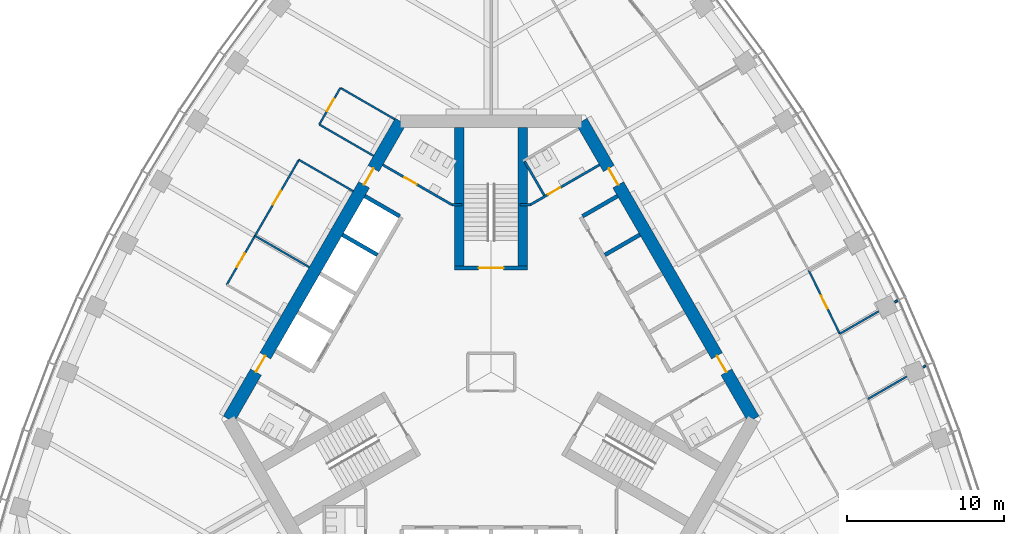
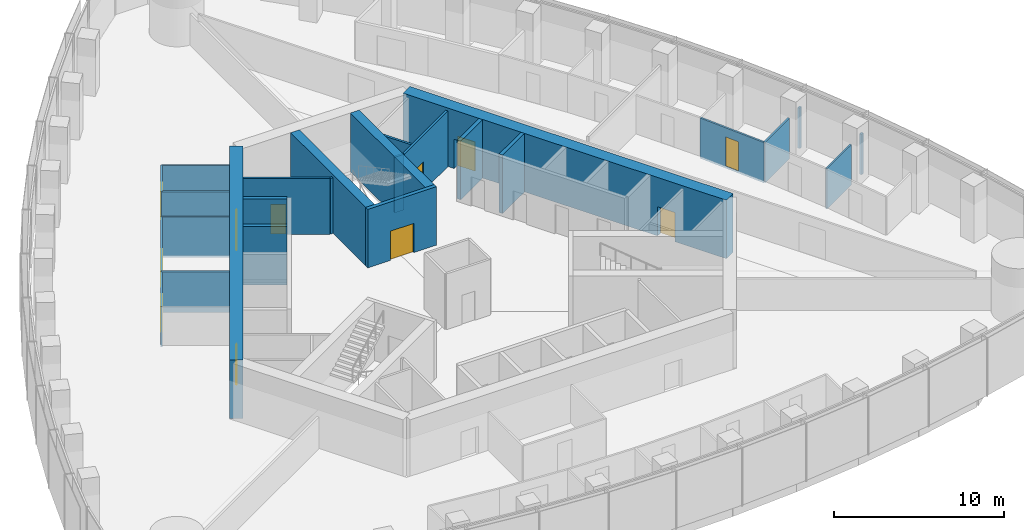
# One storey, part 13 of 20: 26 walls, 11 doors, 11 openings.
"""IFC4 building model written with IfcOpenShell, lengths in metres."""

from ifc_helpers import new_model, si_unit, direction, frame, frame_2d, origin, place, context, subcontext, project, spatial, rectangle, extrude, material, layer, layer_set, type_object, element, fill, save


model = new_model("IFC4")

# Units and contexts
model_context = context("Model", 3, precision=1e-05, world=origin(), true_north=direction((0.0, 1.0)))
body_context = subcontext(model_context, "Body", "Model", "MODEL_VIEW")
ifc_project = project(units=[si_unit("LENGTHUNIT", "METRE"), si_unit("AREAUNIT", "SQUARE_METRE"), si_unit("VOLUMEUNIT", "CUBIC_METRE"), si_unit("PLANEANGLEUNIT", "RADIAN"), si_unit("MASSUNIT", "GRAM", prefix="KILO")], contexts=[model_context])

# Site, building, storey
site_placement = place(None, origin())
site = spatial("IfcSite", under=ifc_project, at=site_placement, CompositionType="ELEMENT")
building_placement = place(site_placement, origin())
building = spatial("IfcBuilding", under=site, at=building_placement, Name="Trefoil Bronze Tower", CompositionType="ELEMENT")
storey_placement = place(building_placement, frame((0.0, 0.0, 210.699951171875)))
storey = spatial("IfcBuildingStorey", under=building, at=storey_placement, Name="L48", CompositionType="ELEMENT", Elevation=210.699951171875)

# Wall, openings, doors
ifc_material_1 = material(Name="Concrete B80", Category="concrete")
ifc_layer_1 = layer(ifc_material_1, 0.800048828125)
ifc_layer_set_1 = layer_set([ifc_layer_1], Name="Core wall 800")
wall_type_1 = type_object("IfcWallType", Name="Core wall 800", PredefinedType="SHEAR", material=ifc_layer_set_1)
wall_1_placement = place(storey_placement, frame((16.7431640625, -3.0, 0.0), z_axis=(0.0, 0.0, 1.0), x_axis=(-0.500002442456, 0.866023993627, 0.0)))
wall_1 = element("IfcWall", 1, at=wall_1_placement, inside=storey, type_object=wall_type_1, Name="Core long wall 2 L48", PredefinedType="SHEAR", context=body_context, shape_type="SweptSolid", body=[
    extrude(rectangle(XDim=21.939453125, YDim=0.800048828125, at=frame_2d((10.9697265625, 0.0))), origin(), (0.0, 0.0, 1.0), 4.199951171875),
])
opening_1_placement = place(wall_1_placement, frame((17.269775390625, 0.0, 0.0)))
opening_1 = element("IfcOpeningElement", 2, at=opening_1_placement, cuts=wall_1, Name="Opening D2", PredefinedType="OPENING", context=body_context, shape_type="SweptSolid", body=[
    extrude(rectangle(XDim=1.199951171875, YDim=2.10009765625, at=frame_2d((0.60009765625, 1.050048828125))), frame((0.0, 0.409912109375, 0.0), z_axis=(0.0, -1.0, 0.0), x_axis=(1.0, 0.0, 0.0)), (0.0, 0.0, 1.0), 0.820068359375),
])
opening_2_placement = place(wall_1_placement, frame((3.4697265625, 0.0, 0.0)))
opening_2 = element("IfcOpeningElement", 3, at=opening_2_placement, cuts=wall_1, Name="Opening D2", PredefinedType="OPENING", context=body_context, shape_type="SweptSolid", body=[
    extrude(rectangle(XDim=1.199951171875, YDim=2.10009765625, at=frame_2d((0.60009765625, 1.050048828125))), frame((0.0, 0.409912109375, 0.0), z_axis=(0.0, -1.0, 0.0), x_axis=(1.0, 0.0, 0.0)), (0.0, 0.0, 1.0), 0.820068359375),
])
ifc_material_2 = material(Name="Steel door", Category="steel")
door_type_1 = type_object("IfcDoorType", Name="Lobby door 1200", OperationType="SINGLE_SWING_RIGHT", PredefinedType="DOOR", material=ifc_material_2)
door_1_placement = place(opening_1_placement, origin())
door_1 = element("IfcDoor", 4, at=door_1_placement, inside=storey, type_object=door_type_1, Name="Lobby door F2+ L48", OperationType="SINGLE_SWING_RIGHT", OverallHeight=2.10009765625, OverallWidth=1.199951171875, PredefinedType="DOOR", context=body_context, shape_type="SweptSolid", body=[
    extrude(rectangle(XDim=1.199951171875, YDim=2.10009765625, at=frame_2d((0.60009765625, 1.050048828125))), frame((0.0, 0.02490234375, 0.0), z_axis=(0.0, -1.0, 0.0), x_axis=(1.0, 0.0, 0.0)), (0.0, 0.0, 1.0), 0.050048828125),
])
fill(opening_1, door_1)
door_2_placement = place(opening_2_placement, origin())
door_2 = element("IfcDoor", 5, at=door_2_placement, inside=storey, type_object=door_type_1, Name="Lobby door F2- L48", OperationType="SINGLE_SWING_LEFT", OverallHeight=2.10009765625, OverallWidth=1.199951171875, PredefinedType="DOOR", context=body_context, shape_type="SweptSolid", body=[
    extrude(rectangle(XDim=1.199951171875, YDim=2.10009765625, at=frame_2d((0.60009765625, 1.050048828125))), frame((0.0, 0.02490234375, 0.0), z_axis=(0.0, -1.0, 0.0), x_axis=(1.0, 0.0, 0.0)), (0.0, 0.0, 1.0), 0.050048828125),
])
fill(opening_2, door_2)

wall_2_placement = place(storey_placement, frame((-5.7734375, 16.0, 0.0), z_axis=(0.0, 0.0, 1.0), x_axis=(-0.500002442456, -0.866023993627, 0.0)))
wall_2 = element("IfcWall", 6, at=wall_2_placement, inside=storey, type_object=wall_type_1, Name="Core long wall 3 L48", PredefinedType="SHEAR", context=body_context, shape_type="SweptSolid", body=[
    extrude(rectangle(XDim=21.939453125, YDim=0.800048828125, at=frame_2d((10.9697265625, 0.0))), origin(), (0.0, 0.0, 1.0), 4.199951171875),
])
opening_3_placement = place(wall_2_placement, frame((17.269775390625, 0.0, 0.0)))
opening_3 = element("IfcOpeningElement", 7, at=opening_3_placement, cuts=wall_2, Name="Opening D2", PredefinedType="OPENING", context=body_context, shape_type="SweptSolid", body=[
    extrude(rectangle(XDim=1.199951171875, YDim=2.10009765625, at=frame_2d((0.60009765625, 1.050048828125))), frame((0.0, 0.409912109375, 0.0), z_axis=(0.0, -1.0, 0.0), x_axis=(1.0, 0.0, 0.0)), (0.0, 0.0, 1.0), 0.820068359375),
])
opening_4_placement = place(wall_2_placement, frame((3.4697265625, 0.0, 0.0)))
opening_4 = element("IfcOpeningElement", 8, at=opening_4_placement, cuts=wall_2, Name="Opening D2", PredefinedType="OPENING", context=body_context, shape_type="SweptSolid", body=[
    extrude(rectangle(XDim=1.199951171875, YDim=2.10009765625, at=frame_2d((0.60009765625, 1.050048828125))), frame((0.0, 0.409912109375, 0.0), z_axis=(0.0, -1.0, 0.0), x_axis=(1.0, 0.0, 0.0)), (0.0, 0.0, 1.0), 0.820068359375),
])
door_3_placement = place(opening_3_placement, origin())
door_3 = element("IfcDoor", 9, at=door_3_placement, inside=storey, type_object=door_type_1, Name="Lobby door F3+ L48", OperationType="SINGLE_SWING_RIGHT", OverallHeight=2.10009765625, OverallWidth=1.199951171875, PredefinedType="DOOR", context=body_context, shape_type="SweptSolid", body=[
    extrude(rectangle(XDim=1.199951171875, YDim=2.10009765625, at=frame_2d((0.60009765625, 1.050048828125))), frame((0.0, 0.02490234375, 0.0), z_axis=(0.0, -1.0, 0.0), x_axis=(1.0, 0.0, 0.0)), (0.0, 0.0, 1.0), 0.050048828125),
])
fill(opening_3, door_3)
door_4_placement = place(opening_4_placement, origin())
door_4 = element("IfcDoor", 10, at=door_4_placement, inside=storey, type_object=door_type_1, Name="Lobby door F3- L48", OperationType="SINGLE_SWING_LEFT", OverallHeight=2.10009765625, OverallWidth=1.199951171875, PredefinedType="DOOR", context=body_context, shape_type="SweptSolid", body=[
    extrude(rectangle(XDim=1.199951171875, YDim=2.10009765625, at=frame_2d((0.60009765625, 1.050048828125))), frame((0.0, 0.02490234375, 0.0), z_axis=(0.0, -1.0, 0.0), x_axis=(1.0, 0.0, 0.0)), (0.0, 0.0, 1.0), 0.050048828125),
])
fill(opening_4, door_4)

# Wall, opening, door
ifc_material_3 = material(Name="Glazed partition", Category="glass")
ifc_layer_2 = layer(ifc_material_3, 0.1201171875)
ifc_layer_set_2 = layer_set([ifc_layer_2], Name="Glazed partition 120")
wall_type_2 = type_object("IfcWallType", Name="Glazed partition 120", PredefinedType="PARTITIONING", material=ifc_layer_set_2)
wall_3_placement = place(storey_placement, frame((22.24169921875, 2.448974609375, 0.0), z_axis=(0.0, 0.0, 1.0), x_axis=(-0.43911984878, 0.898428493764, 0.0)))
wall_3 = element("IfcWall", 11, at=wall_3_placement, inside=storey, type_object=wall_type_2, Name="Partition F2 L48", PredefinedType="PARTITIONING", context=body_context, shape_type="SweptSolid", body=[
    extrude(rectangle(XDim=4.5107421875, YDim=0.1201171875, at=frame_2d((2.25537109375, 0.0))), origin(), (0.0, 0.0, 1.0), 2.900146484375),
])
opening_5_placement = place(wall_3_placement, frame((1.800048828125, 0.0, 0.14990234375)))
opening_5 = element("IfcOpeningElement", 12, at=opening_5_placement, cuts=wall_3, Name="Opening D8", PredefinedType="OPENING", context=body_context, shape_type="SweptSolid", body=[
    extrude(rectangle(XDim=0.89990234375, YDim=2.10009765625, at=frame_2d((0.449951171875, 1.050048828125))), frame((0.0, 0.070068359375, 0.0), z_axis=(0.0, -1.0, 0.0), x_axis=(1.0, 0.0, 0.0)), (0.0, 0.0, 1.0), 0.14013671875),
])
ifc_material_4 = material(Name="Timber door", Category="wood")
door_type_2 = type_object("IfcDoorType", Name="Office door 900", OperationType="SINGLE_SWING_LEFT", PredefinedType="DOOR", material=ifc_material_4)
door_5_placement = place(opening_5_placement, frame((0.89990234375, 0.0, 0.0), z_axis=(0.0, 0.0, 1.0), x_axis=(-1.0, 0.0, 0.0)))
door_5 = element("IfcDoor", 13, at=door_5_placement, inside=storey, type_object=door_type_2, Name="Office door F2 L48", OperationType="SINGLE_SWING_RIGHT", OverallHeight=2.10009765625, OverallWidth=0.89990234375, PredefinedType="DOOR", context=body_context, shape_type="SweptSolid", body=[
    extrude(rectangle(XDim=0.89990234375, YDim=2.10009765625, at=frame_2d((0.449951171875, 1.050048828125))), frame((0.0, 0.02490234375, 0.0), z_axis=(0.0, -1.0, 0.0), x_axis=(1.0, 0.0, 0.0)), (0.0, 0.0, 1.0), 0.050048828125),
])
fill(opening_5, door_5)

# Walls
wall_4_placement = place(storey_placement, frame((24.041015625, -1.708251953125, 0.0), z_axis=(0.0, 0.0, 1.0), x_axis=(0.86605750902, 0.499944387978, 0.0)))
element("IfcWall", 14, at=wall_4_placement, inside=storey, type_object=wall_type_2, Name="Partition F2 L48", PredefinedType="PARTITIONING", context=body_context, shape_type="SweptSolid", body=[
    extrude(rectangle(XDim=2.856689453125, YDim=0.1201171875, at=frame_2d((1.42822265625, 0.0))), origin(), (0.0, 0.0, 1.0), 2.900146484375),
])
wall_5_placement = place(storey_placement, frame((22.24169921875, 2.448974609375, 0.0), z_axis=(0.0, 0.0, 1.0), x_axis=(0.866020927947, 0.500007752297, 0.0)))
element("IfcWall", 15, at=wall_5_placement, inside=storey, type_object=wall_type_2, Name="Partition F2 L48", PredefinedType="PARTITIONING", context=body_context, shape_type="SweptSolid", body=[
    extrude(rectangle(XDim=2.8642578125, YDim=0.1201171875, at=frame_2d((1.43212890625, 0.0))), origin(), (0.0, 0.0, 1.0), 2.900146484375),
])

# Wall, opening, door
wall_6_placement = place(storey_placement, frame((-15.06884765625, 8.699951171875, 0.0), z_axis=(0.0, 0.0, 1.0), x_axis=(-0.500012057535, -0.866018442252, 0.0)))
wall_6 = element("IfcWall", 16, at=wall_6_placement, inside=storey, type_object=wall_type_2, Name="Partition F3 L48", PredefinedType="PARTITIONING", context=body_context, shape_type="SweptSolid", body=[
    extrude(rectangle(XDim=3.60009765625, YDim=0.1201171875, at=frame_2d((1.800048828125, 0.0))), origin(), (0.0, 0.0, 1.0), 2.900146484375),
])
opening_6_placement = place(wall_6_placement, frame((1.300048828125, 0.0, 0.14990234375)))
opening_6 = element("IfcOpeningElement", 17, at=opening_6_placement, cuts=wall_6, Name="Opening D9", PredefinedType="OPENING", context=body_context, shape_type="SweptSolid", body=[
    extrude(rectangle(XDim=1.0, YDim=2.10009765625, at=frame_2d((0.5, 1.050048828125))), frame((0.0, 0.070068359375, 0.0), z_axis=(0.0, -1.0, 0.0), x_axis=(1.0, 0.0, 0.0)), (0.0, 0.0, 1.0), 0.14013671875),
])
ifc_material_5 = material(Name="Glazed timber door", Category="wood")
door_type_3 = type_object("IfcDoorType", Name="Meeting room door 1000", OperationType="SINGLE_SWING_LEFT", PredefinedType="DOOR", material=ifc_material_5)
door_6_placement = place(opening_6_placement, origin())
door_6 = element("IfcDoor", 18, at=door_6_placement, inside=storey, type_object=door_type_3, Name="Meeting room door F3 L48", OperationType="SINGLE_SWING_LEFT", OverallHeight=2.10009765625, OverallWidth=1.0, PredefinedType="DOOR", context=body_context, shape_type="SweptSolid", body=[
    extrude(rectangle(XDim=1.0, YDim=2.10009765625, at=frame_2d((0.5, 1.050048828125))), frame((0.0, 0.02490234375, 0.0), z_axis=(0.0, -1.0, 0.0), x_axis=(1.0, 0.0, 0.0)), (0.0, 0.0, 1.0), 0.050048828125),
])
fill(opening_6, door_6)

wall_7_placement = place(storey_placement, frame((-9.618896484375, 18.1396484375, 0.0), z_axis=(0.0, 0.0, 1.0), x_axis=(-0.499980770555, -0.866036505625, 0.0)))
wall_7 = element("IfcWall", 19, at=wall_7_placement, inside=storey, type_object=wall_type_2, Name="Partition F3 L48", PredefinedType="PARTITIONING", context=body_context, shape_type="SweptSolid", body=[
    extrude(rectangle(XDim=2.69970703125, YDim=0.1201171875, at=frame_2d((1.349853515625, 0.0))), origin(), (0.0, 0.0, 1.0), 2.900146484375),
])
opening_7_placement = place(wall_7_placement, frame((0.800048828125, 0.0, 0.14990234375)))
opening_7 = element("IfcOpeningElement", 20, at=opening_7_placement, cuts=wall_7, Name="Opening D8", PredefinedType="OPENING", context=body_context, shape_type="SweptSolid", body=[
    extrude(rectangle(XDim=0.89990234375, YDim=2.10009765625, at=frame_2d((0.449951171875, 1.050048828125))), frame((0.0, 0.070068359375, 0.0), z_axis=(0.0, -1.0, 0.0), x_axis=(1.0, 0.0, 0.0)), (0.0, 0.0, 1.0), 0.14013671875),
])
door_7_placement = place(opening_7_placement, origin())
door_7 = element("IfcDoor", 21, at=door_7_placement, inside=storey, type_object=door_type_2, Name="Pantry door F3 L48", OperationType="SINGLE_SWING_LEFT", OverallHeight=2.10009765625, OverallWidth=0.89990234375, PredefinedType="DOOR", context=body_context, shape_type="SweptSolid", body=[
    extrude(rectangle(XDim=0.89990234375, YDim=2.10009765625, at=frame_2d((0.449951171875, 1.050048828125))), frame((0.0, 0.02490234375, 0.0), z_axis=(0.0, -1.0, 0.0), x_axis=(1.0, 0.0, 0.0)), (0.0, 0.0, 1.0), 0.050048828125),
])
fill(opening_7, door_7)

wall_8_placement = place(storey_placement, frame((-12.268798828125, 13.5498046875, 0.0), z_axis=(0.0, 0.0, 1.0), x_axis=(-0.49999793692, -0.866026594901, 0.0)))
wall_8 = element("IfcWall", 22, at=wall_8_placement, inside=storey, type_object=wall_type_2, Name="Partition F3 L48", PredefinedType="PARTITIONING", context=body_context, shape_type="SweptSolid", body=[
    extrude(rectangle(XDim=5.60009765625, YDim=0.1201171875, at=frame_2d((2.800048828125, 0.0))), origin(), (0.0, 0.0, 1.0), 2.900146484375),
])
opening_8_placement = place(wall_8_placement, frame((2.300048828125, 0.0, 0.14990234375)))
opening_8 = element("IfcOpeningElement", 23, at=opening_8_placement, cuts=wall_8, Name="Opening D9", PredefinedType="OPENING", context=body_context, shape_type="SweptSolid", body=[
    extrude(rectangle(XDim=1.0, YDim=2.10009765625, at=frame_2d((0.5, 1.050048828125))), frame((0.0, 0.070068359375, 0.0), z_axis=(0.0, -1.0, 0.0), x_axis=(1.0, 0.0, 0.0)), (0.0, 0.0, 1.0), 0.14013671875),
])
door_8_placement = place(opening_8_placement, origin())
door_8 = element("IfcDoor", 24, at=door_8_placement, inside=storey, type_object=door_type_3, Name="Meeting room door F3 L48", OperationType="SINGLE_SWING_RIGHT", OverallHeight=2.10009765625, OverallWidth=1.0, PredefinedType="DOOR", context=body_context, shape_type="SweptSolid", body=[
    extrude(rectangle(XDim=1.0, YDim=2.10009765625, at=frame_2d((0.5, 1.050048828125))), frame((0.0, 0.02490234375, 0.0), z_axis=(0.0, -1.0, 0.0), x_axis=(1.0, 0.0, 0.0)), (0.0, 0.0, 1.0), 0.050048828125),
])
fill(opening_8, door_8)

# Walls
for number, where, z_axis, x_axis, name in (
    (25, (-11.604736328125, 6.699951171875, 0.0), (0.0, 0.0, 1.0), (-0.866026010844, 0.49999894854, 0.0), "Partition F3 L48"),
    (26, (-6.15478515625, 16.1396484375, 0.0), (0.0, 0.0, 1.0), (-0.866026010844, 0.49999894854, 0.0), "Partition F3 L48"),
    (27, (-8.8046875, 11.5498046875, 0.0), (0.0, 0.0, 1.0), (-0.866026010844, 0.49999894854, 0.0), "Partition F3 L48"),
    (28, (-7.504638671875, 13.801513671875, 0.0), (0.0, 0.0, 1.0), (-0.866026010844, 0.49999894854, 0.0), "Partition F3 L48"),
):
    element("IfcWall", number, at=place(storey_placement, frame(where, z_axis=z_axis, x_axis=x_axis)), inside=storey, type_object=wall_type_2, Name=name, PredefinedType="PARTITIONING", context=body_context, shape_type="SweptSolid", body=[
        extrude(rectangle(XDim=4.0, YDim=0.1201171875, at=frame_2d((2.0, 0.0))), origin(), (0.0, 0.0, 1.0), 2.900146484375),
    ])

# Wall, opening, door
ifc_material_6 = material(Name="Gypsum board on steel studs", Category="steel")
ifc_layer_3 = layer(ifc_material_6, 0.14990234375)
ifc_layer_set_3 = layer_set([ifc_layer_3], Name="Partition 150")
wall_type_3 = type_object("IfcWallType", Name="Partition 150", PredefinedType="PARTITIONING", material=ifc_layer_set_3)
wall_9_placement = place(storey_placement, frame((2.4951171875, 10.67822265625, 0.0), z_axis=(0.0, 0.0, 1.0), x_axis=(0.86602216432, 0.500005610874, 0.0)))
wall_9 = element("IfcWall", 29, at=wall_9_placement, inside=storey, type_object=wall_type_3, Name="Passage wall F2+ L48", PredefinedType="PARTITIONING", context=body_context, shape_type="SweptSolid", body=[
    extrude(rectangle(XDim=5.10009765625, YDim=0.14990234375, at=frame_2d((2.550048828125, 0.0))), origin(), (0.0, 0.0, 1.0), 4.0),
])
opening_9_placement = place(wall_9_placement, frame((1.300048828125, 0.0, 0.0)))
opening_9 = element("IfcOpeningElement", 30, at=opening_9_placement, cuts=wall_9, Name="Opening D3", PredefinedType="OPENING", context=body_context, shape_type="SweptSolid", body=[
    extrude(rectangle(XDim=0.89990234375, YDim=2.10009765625, at=frame_2d((0.449951171875, 1.050048828125))), frame((0.0, 0.0849609375, 0.0), z_axis=(0.0, -1.0, 0.0), x_axis=(1.0, 0.0, 0.0)), (0.0, 0.0, 1.0), 0.169921875),
])
ifc_material_7 = material(Name="Timber door", Category="wood")
door_type_4 = type_object("IfcDoorType", Name="WC door 900", OperationType="SINGLE_SWING_LEFT", PredefinedType="DOOR", material=ifc_material_7)
door_9_placement = place(opening_9_placement, origin())
door_9 = element("IfcDoor", 31, at=door_9_placement, inside=storey, type_object=door_type_4, Name="WC (men) door L48", OperationType="SINGLE_SWING_LEFT", OverallHeight=2.10009765625, OverallWidth=0.89990234375, PredefinedType="DOOR", context=body_context, shape_type="SweptSolid", body=[
    extrude(rectangle(XDim=0.89990234375, YDim=2.10009765625, at=frame_2d((0.449951171875, 1.050048828125))), frame((0.0, 0.02490234375, 0.0), z_axis=(0.0, -1.0, 0.0), x_axis=(1.0, 0.0, 0.0)), (0.0, 0.0, 1.0), 0.050048828125),
])
fill(opening_9, door_9)

wall_10_placement = place(storey_placement, frame((-2.4951171875, 10.67822265625, 0.0), z_axis=(0.0, 0.0, 1.0), x_axis=(-0.86602216432, 0.500005610874, 0.0)))
wall_10 = element("IfcWall", 32, at=wall_10_placement, inside=storey, type_object=wall_type_3, Name="Passage wall F3- L48", PredefinedType="PARTITIONING", context=body_context, shape_type="SweptSolid", body=[
    extrude(rectangle(XDim=5.10009765625, YDim=0.14990234375, at=frame_2d((2.550048828125, 0.0))), origin(), (0.0, 0.0, 1.0), 4.0),
])
opening_10_placement = place(wall_10_placement, frame((2.60009765625, 0.0, 0.0)))
opening_10 = element("IfcOpeningElement", 33, at=opening_10_placement, cuts=wall_10, Name="Opening D3", PredefinedType="OPENING", context=body_context, shape_type="SweptSolid", body=[
    extrude(rectangle(XDim=0.89990234375, YDim=2.10009765625, at=frame_2d((0.449951171875, 1.050048828125))), frame((0.0, 0.0849609375, 0.0), z_axis=(0.0, -1.0, 0.0), x_axis=(1.0, 0.0, 0.0)), (0.0, 0.0, 1.0), 0.169921875),
])
door_10_placement = place(opening_10_placement, frame((0.89990234375, 0.0, 0.0), z_axis=(0.0, 0.0, 1.0), x_axis=(-1.0, 0.0, 0.0)))
door_10 = element("IfcDoor", 34, at=door_10_placement, inside=storey, type_object=door_type_4, Name="WC (women) door L48", OperationType="SINGLE_SWING_LEFT", OverallHeight=2.10009765625, OverallWidth=0.89990234375, PredefinedType="DOOR", context=body_context, shape_type="SweptSolid", body=[
    extrude(rectangle(XDim=0.89990234375, YDim=2.10009765625, at=frame_2d((0.449951171875, 1.050048828125))), frame((0.0, 0.02490234375, 0.0), z_axis=(0.0, -1.0, 0.0), x_axis=(1.0, 0.0, 0.0)), (0.0, 0.0, 1.0), 0.050048828125),
])
fill(opening_10, door_10)

# Walls
for number, where, z_axis, x_axis, name in (
    (35, (2.4951171875, 10.67822265625, 0.0), (0.0, 0.0, 1.0), (-1.0, 0.0, 0.0), "WC wall ST2-1 L48"),
    (36, (-2.4951171875, 10.67822265625, 0.0), (0.0, 0.0, 1.0), (1.0, 0.0, 0.0), "WC wall ST2+1 L48"),
):
    element("IfcWall", number, at=place(storey_placement, frame(where, z_axis=z_axis, x_axis=x_axis)), inside=storey, type_object=wall_type_3, Name=name, PredefinedType="PARTITIONING", context=body_context, shape_type="SweptSolid", body=[
        extrude(rectangle(XDim=0.64501953125, YDim=0.14990234375, at=frame_2d((0.322509765625, 0.0))), origin(), (0.0, 0.0, 1.0), 4.0),
    ])
wall_11_placement = place(storey_placement, frame((3.388671875, 11.28076171875, 0.0), z_axis=(0.0, 0.0, 1.0), x_axis=(-0.499989096993, 0.866031698547, 0.0)))
element("IfcWall", 37, at=wall_11_placement, inside=storey, type_object=wall_type_3, Name="WC partition WC (men) L48", PredefinedType="PARTITIONING", context=body_context, shape_type="SweptSolid", body=[
    extrude(rectangle(XDim=2.509765625, YDim=0.14990234375, at=frame_2d((1.2548828125, 0.0))), origin(), (0.0, 0.0, 1.0), 4.0),
])
wall_12_placement = place(storey_placement, frame((27.563232421875, 0.3251953125, 0.0), z_axis=(0.0, 0.0, 1.0), x_axis=(0.865614066289, 0.500711781609, 0.0)))
element("IfcWall", 38, at=wall_12_placement, inside=storey, type_object=wall_type_3, Name="Partition F2 L48", PredefinedType="PARTITIONING", context=body_context, shape_type="SweptSolid", body=[
    extrude(rectangle(XDim=0.177978515625, YDim=0.14990234375, at=frame_2d((0.0888671875, 0.0))), origin(), (0.0, 0.0, 1.0), 2.900146484375),
])
wall_13_placement = place(storey_placement, frame((25.748291015625, 4.473388671875, 0.0), z_axis=(0.0, 0.0, 1.0), x_axis=(0.865625187776, 0.500692554656, 0.0)))
element("IfcWall", 39, at=wall_13_placement, inside=storey, type_object=wall_type_3, Name="Partition F2 L48", PredefinedType="PARTITIONING", context=body_context, shape_type="SweptSolid", body=[
    extrude(rectangle(XDim=0.196044921875, YDim=0.14990234375, at=frame_2d((0.09814453125, 0.0))), origin(), (0.0, 0.0, 1.0), 2.900146484375),
])
ifc_material_8 = material(Name="Concrete B80", Category="concrete")
ifc_layer_4 = layer(ifc_material_8, 0.25)
ifc_layer_set_4 = layer_set([ifc_layer_4], Name="Shaft wall 250")
wall_type_4 = type_object("IfcWallType", Name="Shaft wall 250", PredefinedType="SHEAR", material=ifc_layer_set_4)
wall_14_placement = place(storey_placement, frame((7.2568359375, 7.480712890625, 0.0), z_axis=(0.0, 0.0, 1.0), x_axis=(0.866046643894, 0.499963209246, 0.0)))
element("IfcWall", 40, at=wall_14_placement, inside=storey, type_object=wall_type_4, Name="Lift shaft side wall B3 L48", PredefinedType="SHEAR", context=body_context, shape_type="SweptSolid", body=[
    extrude(rectangle(XDim=2.574951171875, YDim=0.25, at=frame_2d((1.28759765625, 0.0))), origin(), (0.0, 0.0, 1.0), 4.199951171875),
])
for number, where, z_axis, x_axis, name in (
    (41, (5.831787109375, 9.94873046875, 0.0), (0.0, 0.0, 1.0), (0.866029291668, 0.499993265928, 0.0), "Lift shaft side wall B4 L48"),
    (42, (-5.831787109375, 9.94873046875, 0.0), (0.0, 0.0, 1.0), (-0.866029291668, 0.499993265928, 0.0), "Lift shaft side wall C0 L48"),
):
    element("IfcWall", number, at=place(storey_placement, frame(where, z_axis=z_axis, x_axis=x_axis)), inside=storey, type_object=wall_type_4, Name=name, PredefinedType="SHEAR", context=body_context, shape_type="SweptSolid", body=[
        extrude(rectangle(XDim=2.5751953125, YDim=0.25, at=frame_2d((1.28759765625, 0.0))), origin(), (0.0, 0.0, 1.0), 4.199951171875),
    ])
wall_15_placement = place(storey_placement, frame((-7.2568359375, 7.480712890625, 0.0), z_axis=(0.0, 0.0, 1.0), x_axis=(-0.866046643894, 0.499963209246, 0.0)))
element("IfcWall", 43, at=wall_15_placement, inside=storey, type_object=wall_type_4, Name="Lift shaft side wall C1 L48", PredefinedType="SHEAR", context=body_context, shape_type="SweptSolid", body=[
    extrude(rectangle(XDim=2.574951171875, YDim=0.25, at=frame_2d((1.28759765625, 0.0))), origin(), (0.0, 0.0, 1.0), 4.199951171875),
])

# Wall, opening, door
wall_16_placement = place(storey_placement, frame((2.324951171875, 6.64990234375, 0.0), z_axis=(0.0, 0.0, 1.0), x_axis=(-1.0, 0.0, 0.0)))
wall_16 = element("IfcWall", 44, at=wall_16_placement, inside=storey, type_object=wall_type_4, Name="Stair end wall ST2 L48", PredefinedType="SHEAR", context=body_context, shape_type="SweptSolid", body=[
    extrude(rectangle(XDim=4.64990234375, YDim=0.25, at=frame_2d((2.324951171875, 0.0))), origin(), (0.0, 0.0, 1.0), 4.199951171875),
])
opening_11_placement = place(wall_16_placement, frame((1.52490234375, 0.0, 0.0)))
opening_11 = element("IfcOpeningElement", 45, at=opening_11_placement, cuts=wall_16, Name="Opening D1", PredefinedType="OPENING", context=body_context, shape_type="SweptSolid", body=[
    extrude(rectangle(XDim=1.60009765625, YDim=2.10009765625, at=frame_2d((0.800048828125, 1.050048828125))), frame((0.0, 0.135009765625, 0.0), z_axis=(0.0, -1.0, 0.0), x_axis=(1.0, 0.0, 0.0)), (0.0, 0.0, 1.0), 0.27001953125),
])
ifc_material_9 = material(Name="Steel door", Category="steel")
door_type_5 = type_object("IfcDoorType", Name="Stair door 1600", OperationType="DOUBLE_DOOR_SINGLE_SWING", PredefinedType="DOOR", material=ifc_material_9)
door_11_placement = place(opening_11_placement, frame((1.60009765625, 0.0, 0.0), z_axis=(0.0, 0.0, 1.0), x_axis=(-1.0, 0.0, 0.0)))
door_11 = element("IfcDoor", 46, at=door_11_placement, inside=storey, type_object=door_type_5, Name="Stair door ST2 L48", OperationType="DOUBLE_DOOR_SINGLE_SWING", OverallHeight=2.10009765625, OverallWidth=1.60009765625, PredefinedType="DOOR", context=body_context, shape_type="SweptSolid", body=[
    extrude(rectangle(XDim=1.60009765625, YDim=2.10009765625, at=frame_2d((0.800048828125, 1.050048828125))), frame((0.0, 0.02490234375, 0.0), z_axis=(0.0, -1.0, 0.0), x_axis=(1.0, 0.0, 0.0)), (0.0, 0.0, 1.0), 0.050048828125),
])
fill(opening_11, door_11)

# Walls
ifc_material_10 = material(Name="Concrete B80", Category="concrete")
ifc_layer_5 = layer(ifc_material_10, 0.60009765625)
ifc_layer_set_5 = layer_set([ifc_layer_5], Name="Stair wall 600")
wall_type_5 = type_object("IfcWallType", Name="Stair wall 600", PredefinedType="SHEAR", material=ifc_layer_set_5)
for number, where, z_axis, x_axis, name in (
    (47, (2.02490234375, 6.52490234375, 0.0), (0.0, 0.0, 1.0), (0.0, 1.0, 0.0), "Stair wall ST2 L48"),
    (48, (-2.02490234375, 6.52490234375, 0.0), (0.0, 0.0, 1.0), (0.0, 1.0, 0.0), "Stair wall ST2 L48"),
):
    element("IfcWall", number, at=place(storey_placement, frame(where, z_axis=z_axis, x_axis=x_axis)), inside=storey, type_object=wall_type_5, Name=name, PredefinedType="SHEAR", context=body_context, shape_type="SweptSolid", body=[
        extrude(rectangle(XDim=9.0751953125, YDim=0.60009765625, at=frame_2d((4.53759765625, 0.0))), origin(), (0.0, 0.0, 1.0), 4.199951171875),
    ])

save(model, "model.ifc")
